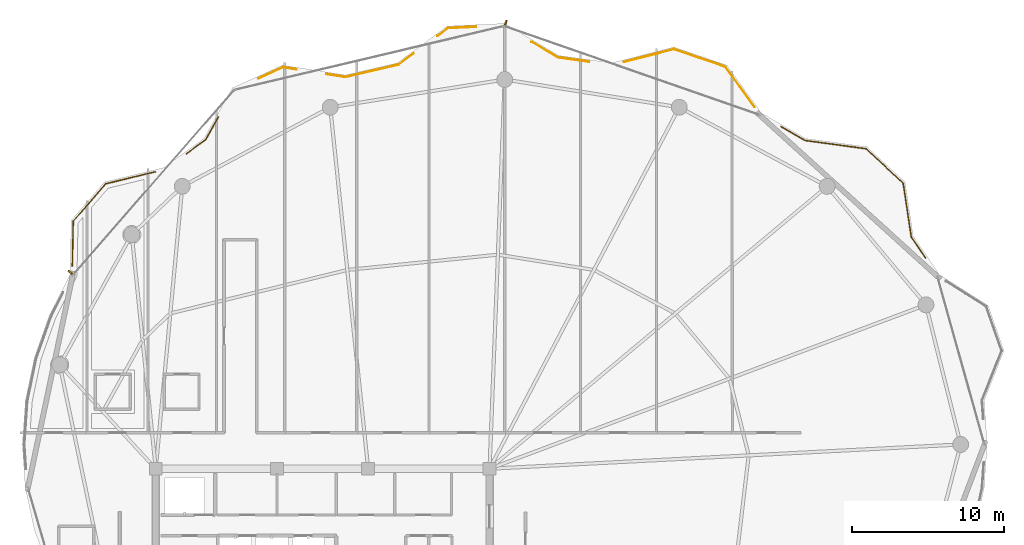
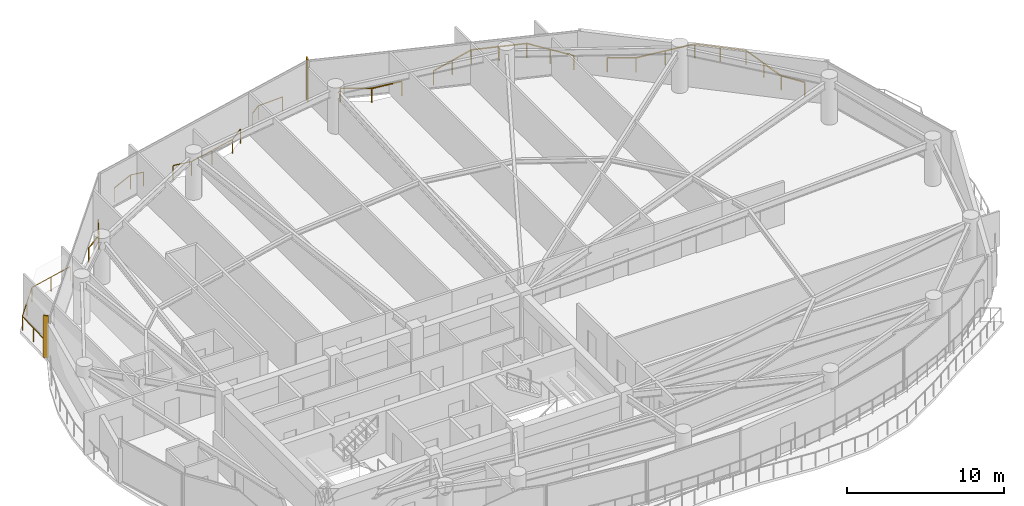
# One storey, part 29 of 29: 8 railings, 2 shading devices.
"""IFC4 building model written with IfcOpenShell, lengths in metres."""

from ifc_helpers import new_model, si_unit, direction, frame, origin, origin_2d, place, context, subcontext, project, spatial, rectangle, extrude, material, type_object, element, save


model = new_model("IFC4")

# Units and contexts
model_context = context("Model", 3, precision=1e-05, world=origin(), true_north=direction((0.0, 1.0)))
body_context = subcontext(model_context, "Body", "Model", "MODEL_VIEW")
ifc_project = project(units=[si_unit("LENGTHUNIT", "METRE"), si_unit("AREAUNIT", "SQUARE_METRE"), si_unit("VOLUMEUNIT", "CUBIC_METRE"), si_unit("PLANEANGLEUNIT", "RADIAN"), si_unit("MASSUNIT", "GRAM", prefix="KILO")], contexts=[model_context])

# Site, building, storey
site_placement = place(None, origin())
site = spatial("IfcSite", under=ifc_project, at=site_placement, CompositionType="ELEMENT")
building_placement = place(site_placement, origin())
building = spatial("IfcBuilding", under=site, at=building_placement, Name="Kazevale Care Tower and Concert Hall", CompositionType="ELEMENT")
storey_placement = place(building_placement, frame((0.0, 0.0, 249.60009765625)))
storey = spatial("IfcBuildingStorey", under=building, at=storey_placement, Name="L66", CompositionType="ELEMENT", Elevation=249.60009765625)

# Railings
ifc_material_1 = material(Name="Anodised Bronze Aluminium and Laminated Glass", Category="aluminium")
railing_type = type_object("IfcRailingType", Name="Balcony and Terrace Balustrade 1120", PredefinedType="BALUSTRADE", material=ifc_material_1)
railing_1_placement = place(storey_placement, frame((16.5009765625, 49.77392578125, 0.0)))
element("IfcRailing", 1, at=railing_1_placement, inside=storey, type_object=railing_type, Name="rail:L66:perim:2", PredefinedType="BALUSTRADE", context=body_context, shape_type="SweptSolid", body=[
    extrude(rectangle(XDim=0.048095703125, YDim=0.048095703125, at=origin_2d()), frame((0.0, 0.0, 1.09619140625), z_axis=(0.020776893953, 0.99978413704, 0.0), x_axis=(-0.99978413704, 0.020776893953, 0.0)), (0.0, 0.0, 1.0), 2.937744140625),
    extrude(rectangle(XDim=0.048095703125, YDim=0.048095703125, at=origin_2d()), frame((0.06103515625, 2.93701171875, 1.09619140625), z_axis=(0.653442230106, 0.75697638795, 0.0), x_axis=(-0.75697638795, 0.653442230106, 0.0)), (0.0, 0.0, 1.0), 3.256591796875),
    extrude(rectangle(XDim=0.048095703125, YDim=0.048095703125, at=origin_2d()), frame((2.18896484375, 5.402099609375, 1.09619140625), z_axis=(0.972048614054, 0.234779666741, 0.0), x_axis=(-0.234779666741, 0.972048614054, 0.0)), (0.0, 0.0, 1.0), 3.373291015625),
    extrude(rectangle(XDim=0.0419921875, YDim=0.0419921875, at=origin_2d()), origin(), (0.0, 0.0, 1.0), 1.072021484375),
    extrude(rectangle(XDim=0.0419921875, YDim=0.0419921875, at=origin_2d()), frame((0.030517578125, 1.468505859375, 0.0)), (0.0, 0.0, 1.0), 1.072021484375),
    extrude(rectangle(XDim=0.0419921875, YDim=0.0419921875, at=origin_2d()), frame((0.06103515625, 2.93701171875, 0.0)), (0.0, 0.0, 1.0), 1.072021484375),
    extrude(rectangle(XDim=0.0419921875, YDim=0.0419921875, at=origin_2d()), frame((1.125, 4.16943359375, 0.0)), (0.0, 0.0, 1.0), 1.072021484375),
    extrude(rectangle(XDim=0.0419921875, YDim=0.0419921875, at=origin_2d()), frame((2.18896484375, 5.402099609375, 0.0)), (0.0, 0.0, 1.0), 1.072021484375),
    extrude(rectangle(XDim=0.0419921875, YDim=0.0419921875, at=origin_2d()), frame((3.82861328125, 5.798095703125, 0.0)), (0.0, 0.0, 1.0), 1.072021484375),
    extrude(rectangle(XDim=0.0419921875, YDim=0.0419921875, at=origin_2d()), frame((5.468017578125, 6.194091796875, 0.0)), (0.0, 0.0, 1.0), 1.072021484375),
])
railing_2_placement = place(storey_placement, frame((24.01708984375, 57.159912109375, 0.0)))
element("IfcRailing", 2, at=railing_2_placement, inside=storey, type_object=railing_type, Name="rail:L66:perim:3", PredefinedType="BALUSTRADE", context=body_context, shape_type="SweptSolid", body=[
    extrude(rectangle(XDim=0.048095703125, YDim=0.048095703125, at=origin_2d()), frame((0.0, 0.0, 1.09619140625), z_axis=(0.809493304449, 0.587129108504, 0.0), x_axis=(-0.587129108504, 0.809493304449, 0.0)), (0.0, 0.0, 1.0), 1.56005859375),
    extrude(rectangle(XDim=0.048095703125, YDim=0.048095703125, at=origin_2d()), frame((1.262939453125, 0.916015625, 1.09619140625), z_axis=(0.490315047546, 0.871545267987, 0.0), x_axis=(-0.871545267987, 0.490315047546, 0.0)), (0.0, 0.0, 1.0), 1.723388671875),
    extrude(rectangle(XDim=0.0419921875, YDim=0.0419921875, at=origin_2d()), origin(), (0.0, 0.0, 1.0), 1.072021484375),
    extrude(rectangle(XDim=0.0419921875, YDim=0.0419921875, at=origin_2d()), frame((1.262939453125, 0.916015625, 0.0)), (0.0, 0.0, 1.0), 1.072021484375),
    extrude(rectangle(XDim=0.0419921875, YDim=0.0419921875, at=origin_2d()), frame((2.10791015625, 2.41796875, 0.0)), (0.0, 0.0, 1.0), 1.072021484375),
])
railing_3_placement = place(storey_placement, frame((28.763916015625, 62.125, 0.0)))
element("IfcRailing", 3, at=railing_3_placement, inside=storey, type_object=railing_type, Name="rail:L66:perim:4", PredefinedType="BALUSTRADE", context=body_context, shape_type="SweptSolid", body=[
    extrude(rectangle(XDim=0.048095703125, YDim=0.048095703125, at=origin_2d()), frame((0.0, 0.0, 1.09619140625), z_axis=(0.91054113019, 0.413418492853, 0.0), x_axis=(-0.413418492853, 0.91054113019, 0.0)), (0.0, 0.0, 1.0), 1.7705078125),
    extrude(rectangle(XDim=0.048095703125, YDim=0.048095703125, at=origin_2d()), frame((1.612060546875, 0.73193359375, 1.09619140625), z_axis=(0.98790083214, -0.155086897758, 0.0), x_axis=(0.155086897758, 0.98790083214, 0.0)), (0.0, 0.0, 1.0), 0.902099609375),
    extrude(rectangle(XDim=0.0419921875, YDim=0.0419921875, at=origin_2d()), origin(), (0.0, 0.0, 1.0), 1.072021484375),
    extrude(rectangle(XDim=0.0419921875, YDim=0.0419921875, at=origin_2d()), frame((1.612060546875, 0.73193359375, 0.0)), (0.0, 0.0, 1.0), 1.072021484375),
    extrude(rectangle(XDim=0.0419921875, YDim=0.0419921875, at=origin_2d()), frame((2.503173828125, 0.592041015625, 0.0)), (0.0, 0.0, 1.0), 1.072021484375),
])
railing_4_placement = place(storey_placement, frame((33.2509765625, 62.406005859375, 0.0)))
element("IfcRailing", 4, at=railing_4_placement, inside=storey, type_object=railing_type, Name="rail:L66:perim:5", PredefinedType="BALUSTRADE", context=body_context, shape_type="SweptSolid", body=[
    extrude(rectangle(XDim=0.048095703125, YDim=0.048095703125, at=origin_2d()), frame((0.0, 0.0, 1.09619140625), z_axis=(0.987942088413, -0.154823867485, 0.0), x_axis=(0.154823867485, 0.987942088413, 0.0)), (0.0, 0.0, 1.0), 1.266357421875),
    extrude(rectangle(XDim=0.048095703125, YDim=0.048095703125, at=origin_2d()), frame((1.2509765625, -0.196044921875, 1.09619140625), z_axis=(0.973807958737, 0.227372072823, 0.0), x_axis=(-0.227372072823, 0.973807958737, 0.0)), (0.0, 0.0, 1.0), 3.57568359375),
    extrude(rectangle(XDim=0.048095703125, YDim=0.048095703125, at=origin_2d()), frame((4.73291015625, 0.616943359375, 1.09619140625), z_axis=(0.805798451747, 0.592189881003, 0.0), x_axis=(-0.592189881003, 0.805798451747, 0.0)), (0.0, 0.0, 1.0), 1.2548828125),
    extrude(rectangle(XDim=0.0419921875, YDim=0.0419921875, at=origin_2d()), origin(), (0.0, 0.0, 1.0), 1.072021484375),
    extrude(rectangle(XDim=0.0419921875, YDim=0.0419921875, at=origin_2d()), frame((1.2509765625, -0.196044921875, 0.0)), (0.0, 0.0, 1.0), 1.072021484375),
    extrude(rectangle(XDim=0.0419921875, YDim=0.0419921875, at=origin_2d()), frame((2.991943359375, 0.21044921875, 0.0)), (0.0, 0.0, 1.0), 1.072021484375),
    extrude(rectangle(XDim=0.0419921875, YDim=0.0419921875, at=origin_2d()), frame((4.73291015625, 0.616943359375, 0.0)), (0.0, 0.0, 1.0), 1.072021484375),
    extrude(rectangle(XDim=0.0419921875, YDim=0.0419921875, at=origin_2d()), frame((5.744140625, 1.360107421875, 0.0)), (0.0, 0.0, 1.0), 1.072021484375),
])
railing_5_placement = place(storey_placement, frame((40.56396484375, 64.9189453125, 0.0)))
element("IfcRailing", 5, at=railing_5_placement, inside=storey, type_object=railing_type, Name="rail:L66:perim:6", PredefinedType="BALUSTRADE", context=body_context, shape_type="SweptSolid", body=[
    extrude(rectangle(XDim=0.048095703125, YDim=0.048095703125, at=origin_2d()), frame((0.0, 0.0, 1.09619140625), z_axis=(0.805713579929, 0.592305349561, 0.0), x_axis=(-0.592305349561, 0.805713579929, 0.0)), (0.0, 0.0, 1.0), 0.876220703125),
    extrude(rectangle(XDim=0.048095703125, YDim=0.048095703125, at=origin_2d()), frame((0.7060546875, 0.51904296875, 1.09619140625), z_axis=(0.998940261438, 0.046025580694, 0.0), x_axis=(-0.046025580694, 0.998940261438, 0.0)), (0.0, 0.0, 1.0), 1.845947265625),
    extrude(rectangle(XDim=0.0419921875, YDim=0.0419921875, at=origin_2d()), origin(), (0.0, 0.0, 1.0), 1.072021484375),
    extrude(rectangle(XDim=0.0419921875, YDim=0.0419921875, at=origin_2d()), frame((0.7060546875, 0.51904296875, 0.0)), (0.0, 0.0, 1.0), 1.072021484375),
    extrude(rectangle(XDim=0.0419921875, YDim=0.0419921875, at=origin_2d()), frame((2.550048828125, 0.60400390625, 0.0)), (0.0, 0.0, 1.0), 1.072021484375),
])
railing_6_placement = place(storey_placement, frame((46.783935546875, 64.529052734375, 0.0)))
element("IfcRailing", 6, at=railing_6_placement, inside=storey, type_object=railing_type, Name="rail:L66:perim:7", PredefinedType="BALUSTRADE", context=body_context, shape_type="SweptSolid", body=[
    extrude(rectangle(XDim=0.048095703125, YDim=0.048095703125, at=origin_2d()), frame((0.0, 0.0, 1.09619140625), z_axis=(0.859958006391, -0.510364798202, 0.0), x_axis=(0.510364798202, 0.859958006391, 0.0)), (0.0, 0.0, 1.0), 2.010498046875),
    extrude(rectangle(XDim=0.048095703125, YDim=0.048095703125, at=origin_2d()), frame((1.72900390625, -1.026123046875, 1.09619140625), z_axis=(0.990617777662, -0.136661693898, 0.0), x_axis=(0.136661693898, 0.990617777662, 0.0)), (0.0, 0.0, 1.0), 2.0400390625),
    extrude(rectangle(XDim=0.0419921875, YDim=0.0419921875, at=origin_2d()), origin(), (0.0, 0.0, 1.0), 1.072021484375),
    extrude(rectangle(XDim=0.0419921875, YDim=0.0419921875, at=origin_2d()), frame((1.72900390625, -1.026123046875, 0.0)), (0.0, 0.0, 1.0), 1.072021484375),
    extrude(rectangle(XDim=0.0419921875, YDim=0.0419921875, at=origin_2d()), frame((3.75, -1.304931640625, 0.0)), (0.0, 0.0, 1.0), 1.072021484375),
])
railing_7_placement = place(storey_placement, frame((52.8779296875, 63.212890625, 0.0)))
element("IfcRailing", 7, at=railing_7_placement, inside=storey, type_object=railing_type, Name="rail:L66:perim:8", PredefinedType="BALUSTRADE", context=body_context, shape_type="SweptSolid", body=[
    extrude(rectangle(XDim=0.048095703125, YDim=0.048095703125, at=origin_2d()), frame((0.0, 0.0, 1.09619140625), z_axis=(0.968841143246, 0.24768294078, 0.0), x_axis=(-0.24768294078, 0.968841143246, 0.0)), (0.0, 0.0, 1.0), 3.3681640625),
    extrude(rectangle(XDim=0.048095703125, YDim=0.048095703125, at=origin_2d()), frame((3.26318359375, 0.834228515625, 1.09619140625), z_axis=(0.946598937376, -0.322413479492, 0.0), x_axis=(0.322413479492, 0.946598937376, 0.0)), (0.0, 0.0, 1.0), 3.607421875),
    extrude(rectangle(XDim=0.048095703125, YDim=0.048095703125, at=origin_2d()), frame((6.677978515625, -0.328857421875, 1.09619140625), z_axis=(0.584785546416, -0.811187934269, 0.0), x_axis=(0.811187934269, 0.584785546416, 0.0)), (0.0, 0.0, 1.0), 3.26318359375),
    extrude(rectangle(XDim=0.0419921875, YDim=0.0419921875, at=origin_2d()), origin(), (0.0, 0.0, 1.0), 1.072021484375),
    extrude(rectangle(XDim=0.0419921875, YDim=0.0419921875, at=origin_2d()), frame((1.631591796875, 0.4169921875, 0.0)), (0.0, 0.0, 1.0), 1.072021484375),
    extrude(rectangle(XDim=0.0419921875, YDim=0.0419921875, at=origin_2d()), frame((3.26318359375, 0.834228515625, 0.0)), (0.0, 0.0, 1.0), 1.072021484375),
    extrude(rectangle(XDim=0.0419921875, YDim=0.0419921875, at=origin_2d()), frame((4.970703125, 0.252685546875, 0.0)), (0.0, 0.0, 1.0), 1.072021484375),
    extrude(rectangle(XDim=0.0419921875, YDim=0.0419921875, at=origin_2d()), frame((6.677978515625, -0.328857421875, 0.0)), (0.0, 0.0, 1.0), 1.072021484375),
    extrude(rectangle(XDim=0.0419921875, YDim=0.0419921875, at=origin_2d()), frame((7.632080078125, -1.65234375, 0.0)), (0.0, 0.0, 1.0), 1.072021484375),
    extrude(rectangle(XDim=0.0419921875, YDim=0.0419921875, at=origin_2d()), frame((8.586181640625, -2.975830078125, 0.0)), (0.0, 0.0, 1.0), 1.072021484375),
])
railing_8_placement = place(storey_placement, frame((63.200927734375, 58.946044921875, 0.0)))
element("IfcRailing", 8, at=railing_8_placement, inside=storey, type_object=railing_type, Name="rail:L66:perim:9", PredefinedType="BALUSTRADE", context=body_context, shape_type="SweptSolid", body=[
    extrude(rectangle(XDim=0.048095703125, YDim=0.048095703125, at=origin_2d()), frame((0.0, 0.0, 1.09619140625), z_axis=(0.866524193864, -0.49913507335, 0.0), x_axis=(0.49913507335, 0.866524193864, 0.0)), (0.0, 0.0, 1.0), 1.823486328125),
    extrude(rectangle(XDim=0.048095703125, YDim=0.048095703125, at=origin_2d()), frame((1.580078125, -0.91015625, 1.09619140625), z_axis=(0.990877699691, -0.134764180164, 0.0), x_axis=(0.134764180164, 0.990877699691, 0.0)), (0.0, 0.0, 1.0), 4.05810546875),
    extrude(rectangle(XDim=0.048095703125, YDim=0.048095703125, at=origin_2d()), frame((5.60107421875, -1.45703125, 1.09619140625), z_axis=(0.73603461898, -0.676943896983, 0.0), x_axis=(0.676943896983, 0.73603461898, 0.0)), (0.0, 0.0, 1.0), 3.334228515625),
    extrude(rectangle(XDim=0.048095703125, YDim=0.048095703125, at=origin_2d()), frame((8.05517578125, -3.714111328125, 1.09619140625), z_axis=(0.148940997459, -0.988846084725, 0.0), x_axis=(0.988846084725, 0.148940997459, 0.0)), (0.0, 0.0, 1.0), 3.597900390625),
    extrude(rectangle(XDim=0.048095703125, YDim=0.048095703125, at=origin_2d()), frame((8.591064453125, -7.27197265625, 1.09619140625), z_axis=(0.562761257822, -0.826619481197, 0.0), x_axis=(0.826619481197, 0.562761257822, 0.0)), (0.0, 0.0, 1.0), 1.671875),
    extrude(rectangle(XDim=0.0419921875, YDim=0.0419921875, at=origin_2d()), origin(), (0.0, 0.0, 1.0), 1.072021484375),
    extrude(rectangle(XDim=0.0419921875, YDim=0.0419921875, at=origin_2d()), frame((1.580078125, -0.91015625, 0.0)), (0.0, 0.0, 1.0), 1.072021484375),
    extrude(rectangle(XDim=0.0419921875, YDim=0.0419921875, at=origin_2d()), frame((3.590576171875, -1.18359375, 0.0)), (0.0, 0.0, 1.0), 1.072021484375),
    extrude(rectangle(XDim=0.0419921875, YDim=0.0419921875, at=origin_2d()), frame((5.60107421875, -1.45703125, 0.0)), (0.0, 0.0, 1.0), 1.072021484375),
    extrude(rectangle(XDim=0.0419921875, YDim=0.0419921875, at=origin_2d()), frame((6.828125, -2.58544921875, 0.0)), (0.0, 0.0, 1.0), 1.072021484375),
    extrude(rectangle(XDim=0.0419921875, YDim=0.0419921875, at=origin_2d()), frame((8.05517578125, -3.714111328125, 0.0)), (0.0, 0.0, 1.0), 1.072021484375),
    extrude(rectangle(XDim=0.0419921875, YDim=0.0419921875, at=origin_2d()), frame((8.3232421875, -5.4931640625, 0.0)), (0.0, 0.0, 1.0), 1.072021484375),
    extrude(rectangle(XDim=0.0419921875, YDim=0.0419921875, at=origin_2d()), frame((8.591064453125, -7.27197265625, 0.0)), (0.0, 0.0, 1.0), 1.072021484375),
    extrude(rectangle(XDim=0.0419921875, YDim=0.0419921875, at=origin_2d()), frame((9.531982421875, -8.654052734375, 0.0)), (0.0, 0.0, 1.0), 1.072021484375),
])

# Shading devices
ifc_material_2 = material(Name="Anodised Bronze Aluminium", Category="aluminium")
shading_device_type = type_object("IfcShadingDeviceType", Name="Waist Anodised Bronze-Stone Fin FIN-02", PredefinedType="USERDEFINED", material=ifc_material_2)
for number, where, z_axis, x_axis, name in (
    (9, (16.361328125, 49.347412109375, 0.0), (0.0, 0.0, 1.0), (-0.753792813636, 0.657112162503, 0.0), "cw:L66:f14:fin"),
    (10, (45.075927734375, 65.796630859375, 0.0), (0.0, 0.0, 1.0), (0.328536977169, 0.944491108816, 0.0), "cw:L66:f16:fin"),
):
    element("IfcShadingDevice", number, at=place(storey_placement, frame(where, z_axis=z_axis, x_axis=x_axis)), inside=storey, type_object=shading_device_type, Name=name, ObjectType="FIN", PredefinedType="USERDEFINED", context=body_context, shape_type="SweptSolid", body=[
        extrude(rectangle(XDim=0.340087890625, YDim=0.10009765625, at=origin_2d()), origin(), (0.0, 0.0, 1.0), 3.280029296875),
    ])

save(model, "model.ifc")
